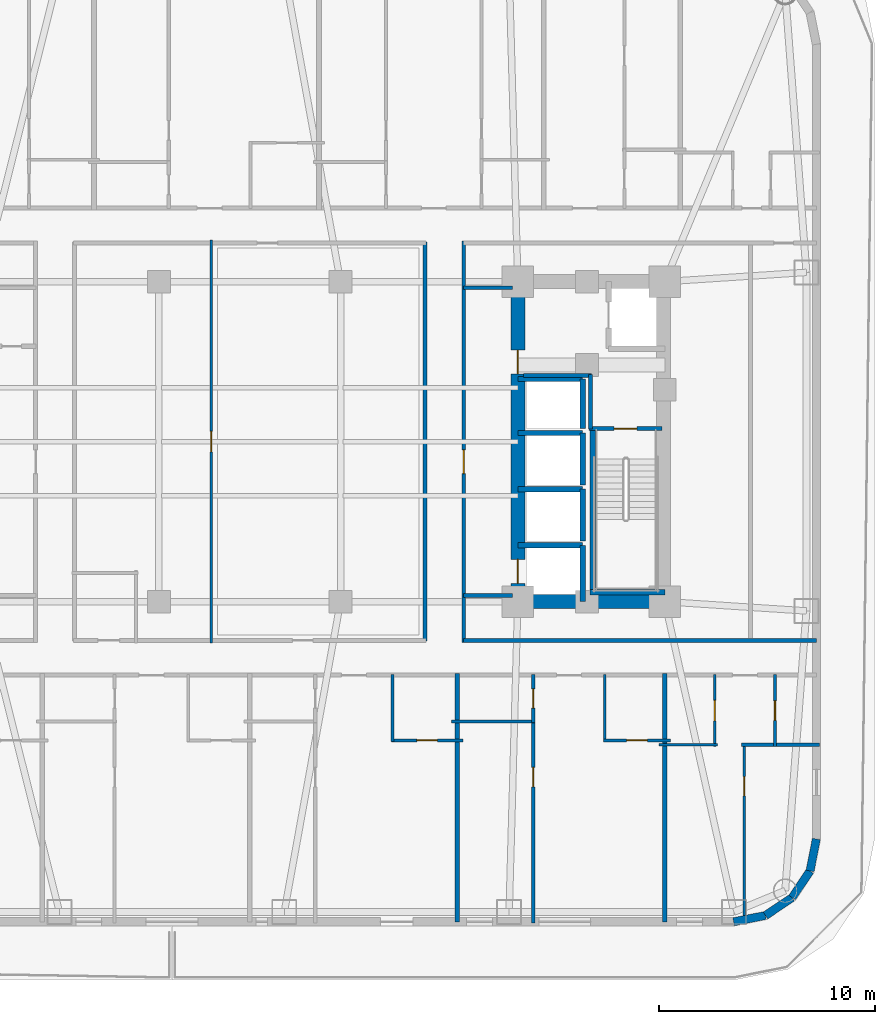
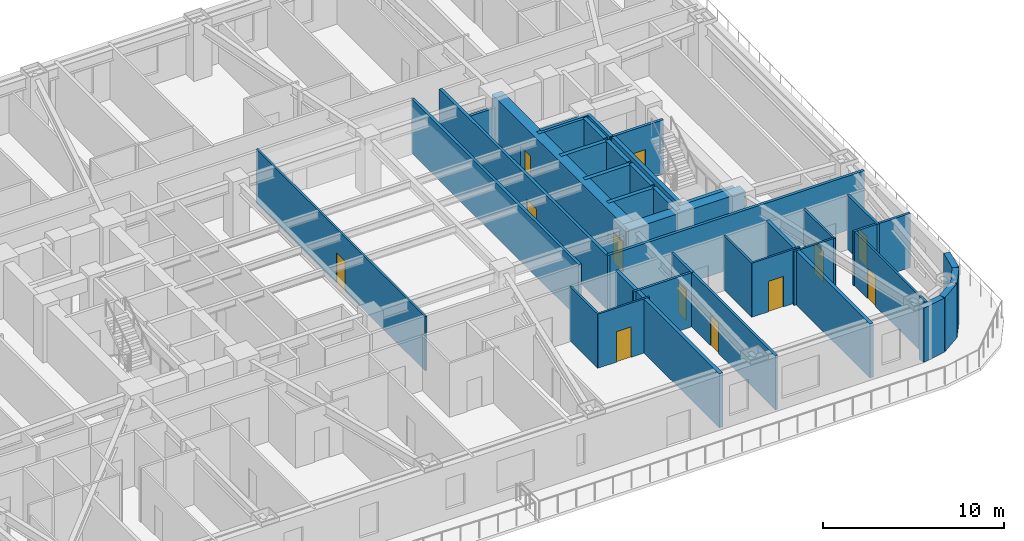
# One storey, part 6 of 14: 39 walls, 12 doors, 12 openings.
"""IFC4 building model written with IfcOpenShell, lengths in metres."""

from ifc_helpers import new_model, si_unit, direction, frame, frame_2d, origin, place, context, subcontext, project, spatial, rectangle, extrude, material, layer, layer_set, type_object, element, fill, save


model = new_model("IFC4")

# Units and contexts
model_context = context("Model", 3, precision=1e-05, world=origin(), true_north=direction((0.0, 1.0)))
body_context = subcontext(model_context, "Body", "Model", "MODEL_VIEW")
ifc_project = project(units=[si_unit("LENGTHUNIT", "METRE"), si_unit("AREAUNIT", "SQUARE_METRE"), si_unit("VOLUMEUNIT", "CUBIC_METRE"), si_unit("PLANEANGLEUNIT", "RADIAN"), si_unit("MASSUNIT", "GRAM", prefix="KILO")], contexts=[model_context])

# Site, building, storey
site_placement = place(None, origin())
site = spatial("IfcSite", under=ifc_project, at=site_placement, CompositionType="ELEMENT")
building_placement = place(site_placement, origin())
building = spatial("IfcBuilding", under=site, at=building_placement, Name="Voryun Gate Residences", CompositionType="ELEMENT")
storey_placement = place(building_placement, frame((0.0, 0.0, 53.300048828125)))
storey = spatial("IfcBuildingStorey", under=building, at=storey_placement, Name="L12", CompositionType="ELEMENT", Elevation=53.300048828125)

# Wall
ifc_material_1 = material(Name="Concrete C60/75", Category="concrete")
ifc_layer_1 = layer(ifc_material_1, 0.64990234375, Name="CW_CORE_650")
ifc_layer_set_1 = layer_set([ifc_layer_1], Name="Concrete C60/75")
wall_type_1 = type_object("IfcWallType", Name="CW_CORE_650", PredefinedType="SHEAR", material=ifc_layer_set_1)
wall_1_placement = place(storey_placement, frame((12.074951171875, -7.39990234375, 0.0), z_axis=(0.0, 0.0, 1.0), x_axis=(1.0, 0.0, 0.0)))
element("IfcWall", 1, at=wall_1_placement, inside=storey, type_object=wall_type_1, Name="L12 Core shear wall CW-L12-ES", PredefinedType="SHEAR", context=body_context, shape_type="SweptSolid", body=[
    extrude(rectangle(XDim=7.449951171875, YDim=0.64990234375, at=frame_2d((3.72509765625, 0.0))), origin(), (0.0, 0.0, 1.0), 3.64990234375),
])

# Wall, openings, doors
wall_2_placement = place(storey_placement, frame((12.39990234375, -7.39990234375, 0.0), z_axis=(0.0, 0.0, 1.0), x_axis=(0.0, 1.0, 0.0)))
wall_2 = element("IfcWall", 2, at=wall_2_placement, inside=storey, type_object=wall_type_1, Name="L12 Core shear wall CW-L12-EW", PredefinedType="SHEAR", context=body_context, shape_type="SweptSolid", body=[
    extrude(rectangle(XDim=14.7998046875, YDim=0.64990234375, at=frame_2d((7.39990234375, 0.0))), origin(), (0.0, 0.0, 1.0), 3.64990234375),
])
opening_1_placement = place(wall_2_placement, frame((0.85009765625, 0.0, 0.0)))
opening_1 = element("IfcOpeningElement", 3, at=opening_1_placement, cuts=wall_2, Name="Opening LD2", PredefinedType="OPENING", context=body_context, shape_type="SweptSolid", body=[
    extrude(rectangle(XDim=1.10009765625, YDim=2.050048828125, at=frame_2d((0.550048828125, 1.02490234375))), frame((0.0, 0.3349609375, 0.0), z_axis=(0.0, -1.0, 0.0), x_axis=(1.0, 0.0, 0.0)), (0.0, 0.0, 1.0), 0.669921875),
])
opening_2_placement = place(wall_2_placement, frame((10.530029296875, 0.0, 0.0)))
opening_2 = element("IfcOpeningElement", 4, at=opening_2_placement, cuts=wall_2, Name="Opening D-FD60-2", PredefinedType="OPENING", context=body_context, shape_type="SweptSolid", body=[
    extrude(rectangle(XDim=1.10009765625, YDim=2.050048828125, at=frame_2d((0.550048828125, 1.02490234375))), frame((0.0, 0.3349609375, 0.0), z_axis=(0.0, -1.0, 0.0), x_axis=(1.0, 0.0, 0.0)), (0.0, 0.0, 1.0), 0.669921875),
])
ifc_material_2 = material(Name="Painted steel fire door", Category="steel")
door_type_1 = type_object("IfcDoorType", Name="DR_FD60_FFLOB_1100", OperationType="NOTDEFINED", PredefinedType="DOOR", material=ifc_material_2)
door_1_placement = place(opening_2_placement, origin())
door_1 = element("IfcDoor", 5, at=door_1_placement, inside=storey, type_object=door_type_1, Name="Door DR-L12-CLOB-E", OperationType="SINGLE_SWING_RIGHT", OverallHeight=2.050048828125, OverallWidth=1.10009765625, PredefinedType="DOOR", context=body_context, shape_type="SweptSolid", body=[
    extrude(rectangle(XDim=1.10009765625, YDim=2.050048828125, at=frame_2d((0.550048828125, 1.02490234375))), frame((0.0, 0.02490234375, 0.0), z_axis=(0.0, -1.0, 0.0), x_axis=(1.0, 0.0, 0.0)), (0.0, 0.0, 1.0), 0.050048828125),
])
fill(opening_2, door_1)
ifc_material_3 = material(Name="Anodised aluminium", Category="aluminium")
door_type_2 = type_object("IfcDoorType", Name="DR_LD_PASS_1100", OperationType="NOTDEFINED", PredefinedType="DOOR", material=ifc_material_3)
door_2_placement = place(opening_1_placement, origin())
door_2 = element("IfcDoor", 6, at=door_2_placement, inside=storey, type_object=door_type_2, Name="Lift EL-P3 sliding landing door L12", OperationType="SLIDING_TO_LEFT", OverallHeight=2.050048828125, OverallWidth=1.10009765625, PredefinedType="DOOR", context=body_context, shape_type="SweptSolid", body=[
    extrude(rectangle(XDim=1.10009765625, YDim=2.050048828125, at=frame_2d((0.550048828125, 1.02490234375))), frame((0.0, 0.02490234375, 0.0), z_axis=(0.0, -1.0, 0.0), x_axis=(1.0, 0.0, 0.0)), (0.0, 0.0, 1.0), 0.050048828125),
])
fill(opening_1, door_2)

# Wall, opening, door
ifc_material_4 = material(Name="Gypsum acoustic fireboard")
ifc_layer_2 = layer(ifc_material_4, 0.179931640625, Name="W_CORR_RATED_180")
ifc_layer_set_2 = layer_set([ifc_layer_2], Name="Gypsum acoustic fireboard")
wall_type_2 = type_object("IfcWallType", Name="W_CORR_RATED_180", PredefinedType="PARTITIONING", material=ifc_layer_set_2)
wall_3_placement = place(storey_placement, frame((15.699951171875, 0.60009765625, 0.0), z_axis=(0.0, 0.0, 1.0), x_axis=(1.0, 0.0, 0.0)))
wall_3 = element("IfcWall", 7, at=wall_3_placement, inside=storey, type_object=wall_type_2, Name="Partition wall WP-L12-STV-E", PredefinedType="PARTITIONING", context=body_context, shape_type="SweptSolid", body=[
    extrude(rectangle(XDim=3.360107421875, YDim=0.179931640625, at=frame_2d((1.68017578125, 0.0))), origin(), (0.0, 0.0, 1.0), 3.64990234375),
])
opening_3_placement = place(wall_3_placement, frame((1.155029296875, 0.0, 0.0)))
opening_3 = element("IfcOpeningElement", 8, at=opening_3_placement, cuts=wall_3, Name="Opening D-FD60-1", PredefinedType="OPENING", context=body_context, shape_type="SweptSolid", body=[
    extrude(rectangle(XDim=1.050048828125, YDim=2.050048828125, at=frame_2d((0.52490234375, 1.02490234375))), frame((0.0, 0.099853515625, 0.0), z_axis=(0.0, -1.0, 0.0), x_axis=(1.0, 0.0, 0.0)), (0.0, 0.0, 1.0), 0.199951171875),
])
ifc_material_5 = material(Name="Painted steel fire door", Category="steel")
door_type_3 = type_object("IfcDoorType", Name="DR_FD60_STAIR_1050", OperationType="NOTDEFINED", PredefinedType="DOOR", material=ifc_material_5)
door_3_placement = place(opening_3_placement, origin())
door_3 = element("IfcDoor", 9, at=door_3_placement, inside=storey, type_object=door_type_3, Name="Door DR-L12-ST-E", OperationType="SINGLE_SWING_RIGHT", OverallHeight=2.050048828125, OverallWidth=1.050048828125, PredefinedType="DOOR", context=body_context, shape_type="SweptSolid", body=[
    extrude(rectangle(XDim=1.050048828125, YDim=2.050048828125, at=frame_2d((0.52490234375, 1.02490234375))), frame((0.0, 0.02490234375, 0.0), z_axis=(0.0, -1.0, 0.0), x_axis=(1.0, 0.0, 0.0)), (0.0, 0.0, 1.0), 0.050048828125),
])
fill(opening_3, door_3)

# Walls
for number, where, z_axis, x_axis, name in (
    (10, (9.8798828125, 7.1201171875, 0.0), (0.0, 0.0, 1.0), (1.0, 0.0, 0.0), "Partition wall WP-L12-PLBN-E"),
    (11, (9.8798828125, -7.1201171875, 0.0), (0.0, 0.0, 1.0), (1.0, 0.0, 0.0), "Partition wall WP-L12-PLBS-E"),
):
    element("IfcWall", number, at=place(storey_placement, frame(where, z_axis=z_axis, x_axis=x_axis)), inside=storey, type_object=wall_type_2, Name=name, PredefinedType="PARTITIONING", context=body_context, shape_type="SweptSolid", body=[
        extrude(rectangle(XDim=2.27001953125, YDim=0.179931640625, at=frame_2d((1.135009765625, 0.0))), origin(), (0.0, 0.0, 1.0), 2.93994140625),
    ])

# Wall, opening, door
wall_4_placement = place(storey_placement, frame((9.89990234375, -9.280029296875, 0.0), z_axis=(0.0, 0.0, 1.0), x_axis=(0.0, 1.0, 0.0)))
wall_4 = element("IfcWall", 12, at=wall_4_placement, inside=storey, type_object=wall_type_2, Name="Partition wall WP-L12-PLBE-FULL", PredefinedType="PARTITIONING", context=body_context, shape_type="SweptSolid", body=[
    extrude(rectangle(XDim=18.56005859375, YDim=0.179931640625, at=frame_2d((9.280029296875, 0.0))), origin(), (0.0, 0.0, 1.0), 3.64990234375),
])
opening_4_placement = place(wall_4_placement, frame((7.802001953125, 0.0, 0.0)))
opening_4 = element("IfcOpeningElement", 13, at=opening_4_placement, cuts=wall_4, Name="Opening D-FD60-2", PredefinedType="OPENING", context=body_context, shape_type="SweptSolid", body=[
    extrude(rectangle(XDim=1.10009765625, YDim=2.050048828125, at=frame_2d((0.550048828125, 1.02490234375))), frame((0.0, 0.099853515625, 0.0), z_axis=(0.0, -1.0, 0.0), x_axis=(1.0, 0.0, 0.0)), (0.0, 0.0, 1.0), 0.199951171875),
])
door_4_placement = place(opening_4_placement, origin())
door_4 = element("IfcDoor", 14, at=door_4_placement, inside=storey, type_object=door_type_1, Name="Door DR-L12-PLBE-COR", OperationType="SINGLE_SWING_RIGHT", OverallHeight=2.050048828125, OverallWidth=1.10009765625, PredefinedType="DOOR", context=body_context, shape_type="SweptSolid", body=[
    extrude(rectangle(XDim=1.10009765625, YDim=2.050048828125, at=frame_2d((0.550048828125, 1.02490234375))), frame((0.0, 0.02490234375, 0.0), z_axis=(0.0, -1.0, 0.0), x_axis=(1.0, 0.0, 0.0)), (0.0, 0.0, 1.0), 0.050048828125),
])
fill(opening_4, door_4)

# Walls
wall_5_placement = place(storey_placement, frame((9.8798828125, -9.18994140625, 0.0), z_axis=(0.0, 0.0, 1.0), x_axis=(1.0, 0.0, 0.0)))
element("IfcWall", 15, at=wall_5_placement, inside=storey, type_object=wall_type_2, Name="Partition wall WP-L12-CWING-ES", PredefinedType="PARTITIONING", context=body_context, shape_type="SweptSolid", body=[
    extrude(rectangle(XDim=16.330078125, YDim=0.179931640625, at=frame_2d((8.1650390625, 0.0))), origin(), (0.0, 0.0, 1.0), 3.64990234375),
])
wall_6_placement = place(storey_placement, frame((8.10009765625, -9.22998046875, 0.0), z_axis=(0.0, 0.0, 1.0), x_axis=(0.0, 1.0, 0.0)))
element("IfcWall", 16, at=wall_6_placement, inside=storey, type_object=wall_type_2, Name="Partition wall WP-L12-Z1E", PredefinedType="PARTITIONING", context=body_context, shape_type="SweptSolid", body=[
    extrude(rectangle(XDim=18.4599609375, YDim=0.179931640625, at=frame_2d((9.22998046875, 0.0))), origin(), (0.0, 0.0, 1.0), 3.64990234375),
])
ifc_material_6 = material(Name="Granite masonry", Category="masonry")
ifc_layer_3 = layer(ifc_material_6, 0.3798828125, Name="W_EXT_GRANITE_380")
ifc_layer_set_3 = layer_set([ifc_layer_3], Name="Granite masonry")
wall_type_3 = type_object("IfcWallType", Name="W_EXT_GRANITE_380", PredefinedType="ELEMENTEDWALL", material=ifc_layer_set_3)
wall_7_placement = place(storey_placement, frame((26.2099609375, -18.38134765625, 0.0), z_axis=(0.0, 0.0, 1.0), x_axis=(-0.195086038585, -0.980786132421, 0.0)))
element("IfcWall", 17, at=wall_7_placement, inside=storey, type_object=wall_type_3, Name="Exterior wall WEXT-L12-17", PredefinedType="ELEMENTEDWALL", context=body_context, shape_type="SweptSolid", body=[
    extrude(rectangle(XDim=1.504150390625, YDim=0.3798828125, at=frame_2d((0.751953125, 0.0))), origin(), (0.0, 0.0, 1.0), 3.64990234375),
])
for number, where, z_axis, x_axis, name in (
    (18, (25.91650390625, -19.856689453125, 0.0), (0.0, 0.0, 1.0), (-0.555686231674, -0.831392092774, 0.0), "Exterior wall WEXT-L12-18"),
    (19, (25.09130859375, -21.09130859375, 0.0), (0.0, 0.0, 1.0), (-0.831392092774, -0.555686231674, 0.0), "Exterior wall WEXT-L12-19"),
):
    element("IfcWall", number, at=place(storey_placement, frame(where, z_axis=z_axis, x_axis=x_axis)), inside=storey, type_object=wall_type_3, Name=name, PredefinedType="ELEMENTEDWALL", context=body_context, shape_type="SweptSolid", body=[
        extrude(rectangle(XDim=1.485107421875, YDim=0.3798828125, at=frame_2d((0.74267578125, 0.0))), origin(), (0.0, 0.0, 1.0), 3.64990234375),
    ])
wall_8_placement = place(storey_placement, frame((23.856689453125, -21.91650390625, 0.0), z_axis=(0.0, 0.0, 1.0), x_axis=(-0.980786132421, -0.195086038585, 0.0)))
element("IfcWall", 20, at=wall_8_placement, inside=storey, type_object=wall_type_3, Name="Exterior wall WEXT-L12-20", PredefinedType="ELEMENTEDWALL", context=body_context, shape_type="SweptSolid", body=[
    extrude(rectangle(XDim=1.504150390625, YDim=0.3798828125, at=frame_2d((0.751953125, 0.0))), origin(), (0.0, 0.0, 1.0), 3.64990234375),
])
ifc_material_7 = material(Name="Concrete C40/50", Category="concrete")
ifc_layer_4 = layer(ifc_material_7, 0.199951171875, Name="W_FF_LOBBY_200")
ifc_layer_set_4 = layer_set([ifc_layer_4], Name="Concrete C40/50")
wall_type_4 = type_object("IfcWallType", Name="W_FF_LOBBY_200", PredefinedType="PARTITIONING", material=ifc_layer_set_4)
wall_9_placement = place(storey_placement, frame((15.760009765625, 0.580078125, 0.0), z_axis=(0.0, 0.0, 1.0), x_axis=(0.0, 1.0, 0.0)))
element("IfcWall", 21, at=wall_9_placement, inside=storey, type_object=wall_type_4, Name="Partition wall WP-L12-FFP0-E", PredefinedType="PARTITIONING", context=body_context, shape_type="SweptSolid", body=[
    extrude(rectangle(XDim=2.52001953125, YDim=0.199951171875, at=frame_2d((1.260009765625, 0.0))), origin(), (0.0, 0.0, 1.0), 3.64990234375),
])
wall_10_placement = place(storey_placement, frame((12.659912109375, 3.06005859375, 0.0), z_axis=(0.0, 0.0, 1.0), x_axis=(1.0, 0.0, 0.0)))
element("IfcWall", 22, at=wall_10_placement, inside=storey, type_object=wall_type_4, Name="Partition wall WP-L12-FFPS-E", PredefinedType="PARTITIONING", context=body_context, shape_type="SweptSolid", body=[
    extrude(rectangle(XDim=3.16015625, YDim=0.199951171875, at=frame_2d((1.580078125, 0.0))), origin(), (0.0, 0.0, 1.0), 3.64990234375),
])
ifc_material_8 = material(Name="Concrete C40/50", Category="concrete")
ifc_layer_5 = layer(ifc_material_8, 0.219970703125, Name="W_PARTY_ACOUSTIC_220")
ifc_layer_set_5 = layer_set([ifc_layer_5], Name="Concrete C40/50")
wall_type_5 = type_object("IfcWallType", Name="W_PARTY_ACOUSTIC_220", PredefinedType="PARTITIONING", material=ifc_layer_set_5)
for number, where, z_axis, x_axis, name in (
    (23, (9.60009765625, -22.2099609375, 0.0), (0.0, 0.0, 1.0), (0.0, 1.0, 0.0), "Partition wall WP-L12-SPTY-5"),
    (24, (19.199951171875, -22.2099609375, 0.0), (0.0, 0.0, 1.0), (0.0, 1.0, 0.0), "Partition wall WP-L12-SPTY-6"),
):
    element("IfcWall", number, at=place(storey_placement, frame(where, z_axis=z_axis, x_axis=x_axis)), inside=storey, type_object=wall_type_5, Name=name, PredefinedType="PARTITIONING", context=body_context, shape_type="SweptSolid", body=[
        extrude(rectangle(XDim=11.489990234375, YDim=0.219970703125, at=frame_2d((5.7451171875, 0.0))), origin(), (0.0, 0.0, 1.0), 3.64990234375),
    ])
ifc_material_9 = material(Name="Concrete C50/60", Category="concrete")
ifc_layer_6 = layer(ifc_material_9, 0.25, Name="W_SHAFT_RC250")
ifc_layer_set_6 = layer_set([ifc_layer_6], Name="Concrete C50/60")
wall_type_6 = type_object("IfcWallType", Name="W_SHAFT_RC250", PredefinedType="SOLIDWALL", material=ifc_layer_set_6)
wall_11_placement = place(storey_placement, frame((15.860107421875, -7.0849609375, 0.0), z_axis=(0.0, 0.0, 1.0), x_axis=(0.0, 1.0, 0.0)))
element("IfcWall", 25, at=wall_11_placement, inside=storey, type_object=wall_type_6, Name="L12 Stair shaft structural wall E-STL", PredefinedType="SOLIDWALL", context=body_context, shape_type="SweptSolid", body=[
    extrude(rectangle(XDim=7.68505859375, YDim=0.25, at=frame_2d((3.842529296875, 0.0))), origin(), (0.0, 0.0, 1.0), 3.64990234375),
])
wall_12_placement = place(storey_placement, frame((15.739990234375, -6.965087890625, 0.0), z_axis=(0.0, 0.0, 1.0), x_axis=(1.0, 0.0, 0.0)))
element("IfcWall", 26, at=wall_12_placement, inside=storey, type_object=wall_type_6, Name="L12 Stair shaft structural wall E-STS", PredefinedType="SOLIDWALL", context=body_context, shape_type="SweptSolid", body=[
    extrude(rectangle(XDim=3.4599609375, YDim=0.25, at=frame_2d((1.72998046875, 0.0))), origin(), (0.0, 0.0, 1.0), 3.64990234375),
])
wall_13_placement = place(storey_placement, frame((15.39990234375, -7.39990234375, 0.0), z_axis=(0.0, 0.0, 1.0), x_axis=(0.0, 1.0, 0.0)))
element("IfcWall", 27, at=wall_13_placement, inside=storey, type_object=wall_type_6, Name="Lift shaft wall WSH-L12-EL-P3-E", PredefinedType="SOLIDWALL", context=body_context, shape_type="SweptSolid", body=[
    extrude(rectangle(XDim=2.599853515625, YDim=0.25, at=frame_2d((1.2998046875, 0.0))), origin(), (0.0, 0.0, 1.0), 3.64990234375),
])
wall_14_placement = place(storey_placement, frame((15.39990234375, -4.800048828125, 0.0), z_axis=(0.0, 0.0, 1.0), x_axis=(-1.0, 0.0, 0.0)))
element("IfcWall", 28, at=wall_14_placement, inside=storey, type_object=wall_type_6, Name="Lift shaft wall WSH-L12-EL-P3-N", PredefinedType="SOLIDWALL", context=body_context, shape_type="SweptSolid", body=[
    extrude(rectangle(XDim=3.0, YDim=0.25, at=frame_2d((1.5, 0.0))), origin(), (0.0, 0.0, 1.0), 3.64990234375),
])
wall_15_placement = place(storey_placement, frame((15.39990234375, -4.60009765625, 0.0), z_axis=(0.0, 0.0, 1.0), x_axis=(0.0, 1.0, 0.0)))
element("IfcWall", 29, at=wall_15_placement, inside=storey, type_object=wall_type_6, Name="Lift shaft wall WSH-L12-EL-P5-E", PredefinedType="SOLIDWALL", context=body_context, shape_type="SweptSolid", body=[
    extrude(rectangle(XDim=2.400146484375, YDim=0.25, at=frame_2d((1.2001953125, 0.0))), origin(), (0.0, 0.0, 1.0), 3.64990234375),
])
wall_16_placement = place(storey_placement, frame((15.39990234375, -2.199951171875, 0.0), z_axis=(0.0, 0.0, 1.0), x_axis=(-1.0, 0.0, 0.0)))
element("IfcWall", 30, at=wall_16_placement, inside=storey, type_object=wall_type_6, Name="Lift shaft wall WSH-L12-EL-P5-N", PredefinedType="SOLIDWALL", context=body_context, shape_type="SweptSolid", body=[
    extrude(rectangle(XDim=3.0, YDim=0.25, at=frame_2d((1.5, 0.0))), origin(), (0.0, 0.0, 1.0), 3.64990234375),
])
wall_17_placement = place(storey_placement, frame((15.39990234375, -2.0, 0.0), z_axis=(0.0, 0.0, 1.0), x_axis=(0.0, 1.0, 0.0)))
element("IfcWall", 31, at=wall_17_placement, inside=storey, type_object=wall_type_6, Name="Lift shaft wall WSH-L12-EL-P6-E", PredefinedType="SOLIDWALL", context=body_context, shape_type="SweptSolid", body=[
    extrude(rectangle(XDim=2.39990234375, YDim=0.25, at=frame_2d((1.199951171875, 0.0))), origin(), (0.0, 0.0, 1.0), 3.64990234375),
])
wall_18_placement = place(storey_placement, frame((15.39990234375, 0.39990234375, 0.0), z_axis=(0.0, 0.0, 1.0), x_axis=(-1.0, 0.0, 0.0)))
element("IfcWall", 32, at=wall_18_placement, inside=storey, type_object=wall_type_6, Name="Lift shaft wall WSH-L12-EL-P6-N", PredefinedType="SOLIDWALL", context=body_context, shape_type="SweptSolid", body=[
    extrude(rectangle(XDim=3.0, YDim=0.25, at=frame_2d((1.5, 0.0))), origin(), (0.0, 0.0, 1.0), 3.64990234375),
])
wall_19_placement = place(storey_placement, frame((15.39990234375, 0.60009765625, 0.0), z_axis=(0.0, 0.0, 1.0), x_axis=(0.0, 1.0, 0.0)))
element("IfcWall", 33, at=wall_19_placement, inside=storey, type_object=wall_type_6, Name="Lift shaft wall WSH-L12-EL-P8-E", PredefinedType="SOLIDWALL", context=body_context, shape_type="SweptSolid", body=[
    extrude(rectangle(XDim=2.2998046875, YDim=0.25, at=frame_2d((1.14990234375, 0.0))), origin(), (0.0, 0.0, 1.0), 3.64990234375),
])
wall_20_placement = place(storey_placement, frame((15.39990234375, 2.89990234375, 0.0), z_axis=(0.0, 0.0, 1.0), x_axis=(-1.0, 0.0, 0.0)))
element("IfcWall", 34, at=wall_20_placement, inside=storey, type_object=wall_type_6, Name="Lift shaft wall WSH-L12-EL-P8-N", PredefinedType="SOLIDWALL", context=body_context, shape_type="SweptSolid", body=[
    extrude(rectangle(XDim=3.0, YDim=0.25, at=frame_2d((1.5, 0.0))), origin(), (0.0, 0.0, 1.0), 3.64990234375),
])

# Wall, opening, door
ifc_material_10 = material(Name="Gypsum acoustic partition")
ifc_layer_7 = layer(ifc_material_10, 0.125, Name="W_UNIT_PART_125")
ifc_layer_set_7 = layer_set([ifc_layer_7], Name="Gypsum acoustic partition")
wall_type_7 = type_object("IfcWallType", Name="W_UNIT_PART_125", PredefinedType="PARTITIONING", material=ifc_layer_set_7)
wall_21_placement = place(storey_placement, frame((-1.77294921875, -9.320068359375, 0.0), z_axis=(0.0, 0.0, 1.0), x_axis=(0.0, 1.0, 0.0)))
wall_21 = element("IfcWall", 35, at=wall_21_placement, inside=storey, type_object=wall_type_7, Name="Partition wall WP-L12-MIDX-0", PredefinedType="PARTITIONING", context=body_context, shape_type="SweptSolid", body=[
    extrude(rectangle(XDim=18.64013671875, YDim=0.125, at=frame_2d((9.320068359375, 0.0))), origin(), (0.0, 0.0, 1.0), 3.64990234375),
])
opening_5_placement = place(wall_21_placement, frame((8.844970703125, 0.0, 0.0)))
opening_5 = element("IfcOpeningElement", 36, at=opening_5_placement, cuts=wall_21, Name="Opening D-INT-1", PredefinedType="OPENING", context=body_context, shape_type="SweptSolid", body=[
    extrude(rectangle(XDim=0.949951171875, YDim=2.050048828125, at=frame_2d((0.47509765625, 1.02490234375))), frame((0.0, 0.072509765625, 0.0), z_axis=(0.0, -1.0, 0.0), x_axis=(1.0, 0.0, 0.0)), (0.0, 0.0, 1.0), 0.14501953125),
])
ifc_material_11 = material(Name="Architectural oak veneer")
door_type_4 = type_object("IfcDoorType", Name="DR_INT_ROOM_950", OperationType="NOTDEFINED", PredefinedType="DOOR", material=ifc_material_11)
door_5_placement = place(opening_5_placement, origin())
door_5 = element("IfcDoor", 37, at=door_5_placement, inside=storey, type_object=door_type_4, Name="Door DR-L12-MIDX-0", OperationType="SINGLE_SWING_LEFT", OverallHeight=2.050048828125, OverallWidth=0.949951171875, PredefinedType="DOOR", context=body_context, shape_type="SweptSolid", body=[
    extrude(rectangle(XDim=0.949951171875, YDim=2.050048828125, at=frame_2d((0.47509765625, 1.02490234375))), frame((0.0, 0.02490234375, 0.0), z_axis=(0.0, -1.0, 0.0), x_axis=(1.0, 0.0, 0.0)), (0.0, 0.0, 1.0), 0.050048828125),
])
fill(opening_5, door_5)

wall_22_placement = place(storey_placement, frame((6.549072265625, -13.820068359375, 0.0), z_axis=(0.0, 0.0, 1.0), x_axis=(1.0, 0.0, 0.0)))
wall_22 = element("IfcWall", 38, at=wall_22_placement, inside=storey, type_object=wall_type_7, Name="Partition wall WP-L12-S5-KHY", PredefinedType="PARTITIONING", context=body_context, shape_type="SweptSolid", body=[
    extrude(rectangle(XDim=3.31103515625, YDim=0.125, at=frame_2d((1.655517578125, 0.0))), origin(), (0.0, 0.0, 1.0), 3.64990234375),
])
opening_6_placement = place(wall_22_placement, frame((1.180419921875, 0.0, 0.0)))
opening_6 = element("IfcOpeningElement", 39, at=opening_6_placement, cuts=wall_22, Name="Opening D-INT-1", PredefinedType="OPENING", context=body_context, shape_type="SweptSolid", body=[
    extrude(rectangle(XDim=0.949951171875, YDim=2.050048828125, at=frame_2d((0.47509765625, 1.02490234375))), frame((0.0, 0.072509765625, 0.0), z_axis=(0.0, -1.0, 0.0), x_axis=(1.0, 0.0, 0.0)), (0.0, 0.0, 1.0), 0.14501953125),
])
door_6_placement = place(opening_6_placement, origin())
door_6 = element("IfcDoor", 40, at=door_6_placement, inside=storey, type_object=door_type_4, Name="Door DR-L12-S5-DK", OperationType="SINGLE_SWING_LEFT", OverallHeight=2.050048828125, OverallWidth=0.949951171875, PredefinedType="DOOR", context=body_context, shape_type="SweptSolid", body=[
    extrude(rectangle(XDim=0.949951171875, YDim=2.050048828125, at=frame_2d((0.47509765625, 1.02490234375))), frame((0.0, 0.02490234375, 0.0), z_axis=(0.0, -1.0, 0.0), x_axis=(1.0, 0.0, 0.0)), (0.0, 0.0, 1.0), 0.050048828125),
])
fill(opening_6, door_6)

# Wall
wall_23_placement = place(storey_placement, frame((6.60888671875, -13.8798828125, 0.0), z_axis=(0.0, 0.0, 1.0), x_axis=(0.0, 1.0, 0.0)))
element("IfcWall", 41, at=wall_23_placement, inside=storey, type_object=wall_type_7, Name="Partition wall WP-L12-S5-KVX", PredefinedType="PARTITIONING", context=body_context, shape_type="SweptSolid", body=[
    extrude(rectangle(XDim=3.099853515625, YDim=0.125, at=frame_2d((1.5498046875, 0.0))), origin(), (0.0, 0.0, 1.0), 3.64990234375),
])

# Wall, opening, door
wall_24_placement = place(storey_placement, frame((16.366943359375, -13.820068359375, 0.0), z_axis=(0.0, 0.0, 1.0), x_axis=(1.0, 0.0, 0.0)))
wall_24 = element("IfcWall", 42, at=wall_24_placement, inside=storey, type_object=wall_type_7, Name="Partition wall WP-L12-S6-KHY", PredefinedType="PARTITIONING", context=body_context, shape_type="SweptSolid", body=[
    extrude(rectangle(XDim=3.093017578125, YDim=0.125, at=frame_2d((1.54638671875, 0.0))), origin(), (0.0, 0.0, 1.0), 3.64990234375),
])
opening_7_placement = place(wall_24_placement, frame((1.071533203125, 0.0, 0.0)))
opening_7 = element("IfcOpeningElement", 43, at=opening_7_placement, cuts=wall_24, Name="Opening D-INT-1", PredefinedType="OPENING", context=body_context, shape_type="SweptSolid", body=[
    extrude(rectangle(XDim=0.949951171875, YDim=2.050048828125, at=frame_2d((0.47509765625, 1.02490234375))), frame((0.0, 0.072509765625, 0.0), z_axis=(0.0, -1.0, 0.0), x_axis=(1.0, 0.0, 0.0)), (0.0, 0.0, 1.0), 0.14501953125),
])
door_7_placement = place(opening_7_placement, origin())
door_7 = element("IfcDoor", 44, at=door_7_placement, inside=storey, type_object=door_type_4, Name="Door DR-L12-S6-DK", OperationType="SINGLE_SWING_LEFT", OverallHeight=2.050048828125, OverallWidth=0.949951171875, PredefinedType="DOOR", context=body_context, shape_type="SweptSolid", body=[
    extrude(rectangle(XDim=0.949951171875, YDim=2.050048828125, at=frame_2d((0.47509765625, 1.02490234375))), frame((0.0, 0.02490234375, 0.0), z_axis=(0.0, -1.0, 0.0), x_axis=(1.0, 0.0, 0.0)), (0.0, 0.0, 1.0), 0.050048828125),
])
fill(opening_7, door_7)

# Wall
wall_25_placement = place(storey_placement, frame((16.427001953125, -13.8798828125, 0.0), z_axis=(0.0, 0.0, 1.0), x_axis=(0.0, 1.0, 0.0)))
element("IfcWall", 45, at=wall_25_placement, inside=storey, type_object=wall_type_7, Name="Partition wall WP-L12-S6-KVX", PredefinedType="PARTITIONING", context=body_context, shape_type="SweptSolid", body=[
    extrude(rectangle(XDim=3.099853515625, YDim=0.125, at=frame_2d((1.5498046875, 0.0))), origin(), (0.0, 0.0, 1.0), 3.64990234375),
])

# Wall, opening, door
wall_26_placement = place(storey_placement, frame((22.867919921875, -22.26611328125, 0.0), z_axis=(0.0, 0.0, 1.0), x_axis=(0.0, 1.0, 0.0)))
wall_26 = element("IfcWall", 46, at=wall_26_placement, inside=storey, type_object=wall_type_7, Name="Partition wall WP-L12-S7-OVR", PredefinedType="PARTITIONING", context=body_context, shape_type="SweptSolid", body=[
    extrude(rectangle(XDim=8.326171875, YDim=0.125, at=frame_2d((4.1630859375, 0.0))), origin(), (0.0, 0.0, 1.0), 3.64990234375),
])
opening_8_placement = place(wall_26_placement, frame((5.877685546875, 0.0, 0.0)))
opening_8 = element("IfcOpeningElement", 47, at=opening_8_placement, cuts=wall_26, Name="Opening D-INT-2", PredefinedType="OPENING", context=body_context, shape_type="SweptSolid", body=[
    extrude(rectangle(XDim=0.89990234375, YDim=2.050048828125, at=frame_2d((0.449951171875, 1.02490234375))), frame((0.0, 0.072509765625, 0.0), z_axis=(0.0, -1.0, 0.0), x_axis=(1.0, 0.0, 0.0)), (0.0, 0.0, 1.0), 0.14501953125),
])
ifc_material_12 = material(Name="Architectural oak veneer")
door_type_5 = type_object("IfcDoorType", Name="DR_INT_BATH_900", OperationType="NOTDEFINED", PredefinedType="DOOR", material=ifc_material_12)
door_8_placement = place(opening_8_placement, origin())
door_8 = element("IfcDoor", 48, at=door_8_placement, inside=storey, type_object=door_type_5, Name="Door DR-L12-S7-DMB", OperationType="SINGLE_SWING_RIGHT", OverallHeight=2.050048828125, OverallWidth=0.89990234375, PredefinedType="DOOR", context=body_context, shape_type="SweptSolid", body=[
    extrude(rectangle(XDim=0.89990234375, YDim=2.050048828125, at=frame_2d((0.449951171875, 1.02490234375))), frame((0.0, 0.02490234375, 0.0), z_axis=(0.0, -1.0, 0.0), x_axis=(1.0, 0.0, 0.0)), (0.0, 0.0, 1.0), 0.050048828125),
])
fill(opening_8, door_8)

wall_27_placement = place(storey_placement, frame((21.510009765625, -14.10009765625, 0.0), z_axis=(0.0, 0.0, 1.0), x_axis=(0.0, 1.0, 0.0)))
wall_27 = element("IfcWall", 49, at=wall_27_placement, inside=storey, type_object=wall_type_7, Name="Partition wall WP-L12-S7-IVK", PredefinedType="PARTITIONING", context=body_context, shape_type="SweptSolid", body=[
    extrude(rectangle(XDim=3.320068359375, YDim=0.125, at=frame_2d((1.66015625, 0.0))), origin(), (0.0, 0.0, 1.0), 3.64990234375),
])
opening_9_placement = place(wall_27_placement, frame((1.18505859375, 0.0, 0.0)))
opening_9 = element("IfcOpeningElement", 50, at=opening_9_placement, cuts=wall_27, Name="Opening D-INT-1", PredefinedType="OPENING", context=body_context, shape_type="SweptSolid", body=[
    extrude(rectangle(XDim=0.949951171875, YDim=2.050048828125, at=frame_2d((0.47509765625, 1.02490234375))), frame((0.0, 0.072509765625, 0.0), z_axis=(0.0, -1.0, 0.0), x_axis=(1.0, 0.0, 0.0)), (0.0, 0.0, 1.0), 0.14501953125),
])
door_9_placement = place(opening_9_placement, origin())
door_9 = element("IfcDoor", 51, at=door_9_placement, inside=storey, type_object=door_type_4, Name="Door DR-L12-S7-DK", OperationType="SINGLE_SWING_LEFT", OverallHeight=2.050048828125, OverallWidth=0.949951171875, PredefinedType="DOOR", context=body_context, shape_type="SweptSolid", body=[
    extrude(rectangle(XDim=0.949951171875, YDim=2.050048828125, at=frame_2d((0.47509765625, 1.02490234375))), frame((0.0, 0.02490234375, 0.0), z_axis=(0.0, -1.0, 0.0), x_axis=(1.0, 0.0, 0.0)), (0.0, 0.0, 1.0), 0.050048828125),
])
fill(opening_9, door_9)

# Walls
wall_28_placement = place(storey_placement, frame((18.93994140625, -14.02001953125, 0.0), z_axis=(0.0, 0.0, 1.0), x_axis=(1.0, 0.0, 0.0)))
element("IfcWall", 52, at=wall_28_placement, inside=storey, type_object=wall_type_7, Name="Partition wall WP-L12-S7-HZK", PredefinedType="PARTITIONING", context=body_context, shape_type="SweptSolid", body=[
    extrude(rectangle(XDim=2.68994140625, YDim=0.125, at=frame_2d((1.344970703125, 0.0))), origin(), (0.0, 0.0, 1.0), 3.64990234375),
])
ifc_material_13 = material(Name="Gypsum moisture-resistant partition")
ifc_layer_8 = layer(ifc_material_13, 0.14990234375, Name="W_WET_PLUMB_150")
ifc_layer_set_8 = layer_set([ifc_layer_8], Name="Gypsum moisture-resistant partition")
wall_type_8 = type_object("IfcWallType", Name="W_WET_PLUMB_150", PredefinedType="PLUMBINGWALL", material=ifc_layer_set_8)
wall_29_placement = place(storey_placement, frame((9.340087890625, -12.93994140625, 0.0), z_axis=(0.0, 0.0, 1.0), x_axis=(1.0, 0.0, 0.0)))
element("IfcWall", 53, at=wall_29_placement, inside=storey, type_object=wall_type_8, Name="Partition wall WP-L12-S6-LHY", PredefinedType="PLUMBINGWALL", context=body_context, shape_type="SweptSolid", body=[
    extrude(rectangle(XDim=3.849853515625, YDim=0.14990234375, at=frame_2d((1.9248046875, 0.0))), origin(), (0.0, 0.0, 1.0), 3.64990234375),
])

# Wall, opening, door
wall_30_placement = place(storey_placement, frame((13.110107421875, -22.257568359375, 0.0), z_axis=(0.0, 0.0, 1.0), x_axis=(0.0, 1.0, 0.0)))
wall_30 = element("IfcWall", 54, at=wall_30_placement, inside=storey, type_object=wall_type_8, Name="Partition wall WP-L12-S6-LVX1", PredefinedType="PLUMBINGWALL", context=body_context, shape_type="SweptSolid", body=[
    extrude(rectangle(XDim=9.357666015625, YDim=0.14990234375, at=frame_2d((4.6787109375, 0.0))), origin(), (0.0, 0.0, 1.0), 3.64990234375),
])
opening_10_placement = place(wall_30_placement, frame((6.28759765625, 0.0, 0.0)))
opening_10 = element("IfcOpeningElement", 55, at=opening_10_placement, cuts=wall_30, Name="Opening D-INT-2", PredefinedType="OPENING", context=body_context, shape_type="SweptSolid", body=[
    extrude(rectangle(XDim=0.89990234375, YDim=2.050048828125, at=frame_2d((0.449951171875, 1.02490234375))), frame((0.0, 0.0849609375, 0.0), z_axis=(0.0, -1.0, 0.0), x_axis=(1.0, 0.0, 0.0)), (0.0, 0.0, 1.0), 0.169921875),
])
door_10_placement = place(opening_10_placement, origin())
door_10 = element("IfcDoor", 56, at=door_10_placement, inside=storey, type_object=door_type_5, Name="Door DR-L12-S6-DMB", OperationType="SINGLE_SWING_LEFT", OverallHeight=2.050048828125, OverallWidth=0.89990234375, PredefinedType="DOOR", context=body_context, shape_type="SweptSolid", body=[
    extrude(rectangle(XDim=0.89990234375, YDim=2.050048828125, at=frame_2d((0.449951171875, 1.02490234375))), frame((0.0, 0.02490234375, 0.0), z_axis=(0.0, -1.0, 0.0), x_axis=(1.0, 0.0, 0.0)), (0.0, 0.0, 1.0), 0.050048828125),
])
fill(opening_10, door_10)

wall_31_placement = place(storey_placement, frame((13.110107421875, -12.97998046875, 0.0), z_axis=(0.0, 0.0, 1.0), x_axis=(0.0, 1.0, 0.0)))
wall_31 = element("IfcWall", 57, at=wall_31_placement, inside=storey, type_object=wall_type_8, Name="Partition wall WP-L12-S6-LVX2", PredefinedType="PLUMBINGWALL", context=body_context, shape_type="SweptSolid", body=[
    extrude(rectangle(XDim=2.199951171875, YDim=0.14990234375, at=frame_2d((1.10009765625, 0.0))), origin(), (0.0, 0.0, 1.0), 3.64990234375),
])
opening_11_placement = place(wall_31_placement, frame((0.64990234375, 0.0, 0.0)))
opening_11 = element("IfcOpeningElement", 58, at=opening_11_placement, cuts=wall_31, Name="Opening D-INT-2", PredefinedType="OPENING", context=body_context, shape_type="SweptSolid", body=[
    extrude(rectangle(XDim=0.89990234375, YDim=2.050048828125, at=frame_2d((0.449951171875, 1.02490234375))), frame((0.0, 0.0849609375, 0.0), z_axis=(0.0, -1.0, 0.0), x_axis=(1.0, 0.0, 0.0)), (0.0, 0.0, 1.0), 0.169921875),
])
door_11_placement = place(opening_11_placement, origin())
door_11 = element("IfcDoor", 59, at=door_11_placement, inside=storey, type_object=door_type_5, Name="Door DR-L12-S6-DB", OperationType="SINGLE_SWING_RIGHT", OverallHeight=2.050048828125, OverallWidth=0.89990234375, PredefinedType="DOOR", context=body_context, shape_type="SweptSolid", body=[
    extrude(rectangle(XDim=0.89990234375, YDim=2.050048828125, at=frame_2d((0.449951171875, 1.02490234375))), frame((0.0, 0.02490234375, 0.0), z_axis=(0.0, -1.0, 0.0), x_axis=(1.0, 0.0, 0.0)), (0.0, 0.0, 1.0), 0.050048828125),
])
fill(opening_11, door_11)

# Wall
wall_32_placement = place(storey_placement, frame((22.748046875, -14.02001953125, 0.0), z_axis=(0.0, 0.0, 1.0), x_axis=(1.0, 0.0, 0.0)))
element("IfcWall", 60, at=wall_32_placement, inside=storey, type_object=wall_type_8, Name="Partition wall WP-L12-S7-HZB", PredefinedType="PLUMBINGWALL", context=body_context, shape_type="SweptSolid", body=[
    extrude(rectangle(XDim=3.612060546875, YDim=0.14990234375, at=frame_2d((1.80615234375, 0.0))), origin(), (0.0, 0.0, 1.0), 3.64990234375),
])

# Wall, opening, door
wall_33_placement = place(storey_placement, frame((24.298095703125, -14.10009765625, 0.0), z_axis=(0.0, 0.0, 1.0), x_axis=(0.0, 1.0, 0.0)))
wall_33 = element("IfcWall", 61, at=wall_33_placement, inside=storey, type_object=wall_type_8, Name="Partition wall WP-L12-S7-IVB", PredefinedType="PLUMBINGWALL", context=body_context, shape_type="SweptSolid", body=[
    extrude(rectangle(XDim=3.320068359375, YDim=0.14990234375, at=frame_2d((1.66015625, 0.0))), origin(), (0.0, 0.0, 1.0), 3.64990234375),
])
opening_12_placement = place(wall_33_placement, frame((1.2099609375, 0.0, 0.0)))
opening_12 = element("IfcOpeningElement", 62, at=opening_12_placement, cuts=wall_33, Name="Opening D-INT-2", PredefinedType="OPENING", context=body_context, shape_type="SweptSolid", body=[
    extrude(rectangle(XDim=0.89990234375, YDim=2.050048828125, at=frame_2d((0.449951171875, 1.02490234375))), frame((0.0, 0.0849609375, 0.0), z_axis=(0.0, -1.0, 0.0), x_axis=(1.0, 0.0, 0.0)), (0.0, 0.0, 1.0), 0.169921875),
])
door_12_placement = place(opening_12_placement, origin())
door_12 = element("IfcDoor", 63, at=door_12_placement, inside=storey, type_object=door_type_5, Name="Door DR-L12-S7-DB", OperationType="SINGLE_SWING_RIGHT", OverallHeight=2.050048828125, OverallWidth=0.89990234375, PredefinedType="DOOR", context=body_context, shape_type="SweptSolid", body=[
    extrude(rectangle(XDim=0.89990234375, YDim=2.050048828125, at=frame_2d((0.449951171875, 1.02490234375))), frame((0.0, 0.02490234375, 0.0), z_axis=(0.0, -1.0, 0.0), x_axis=(1.0, 0.0, 0.0)), (0.0, 0.0, 1.0), 0.050048828125),
])
fill(opening_12, door_12)

save(model, "model.ifc")
